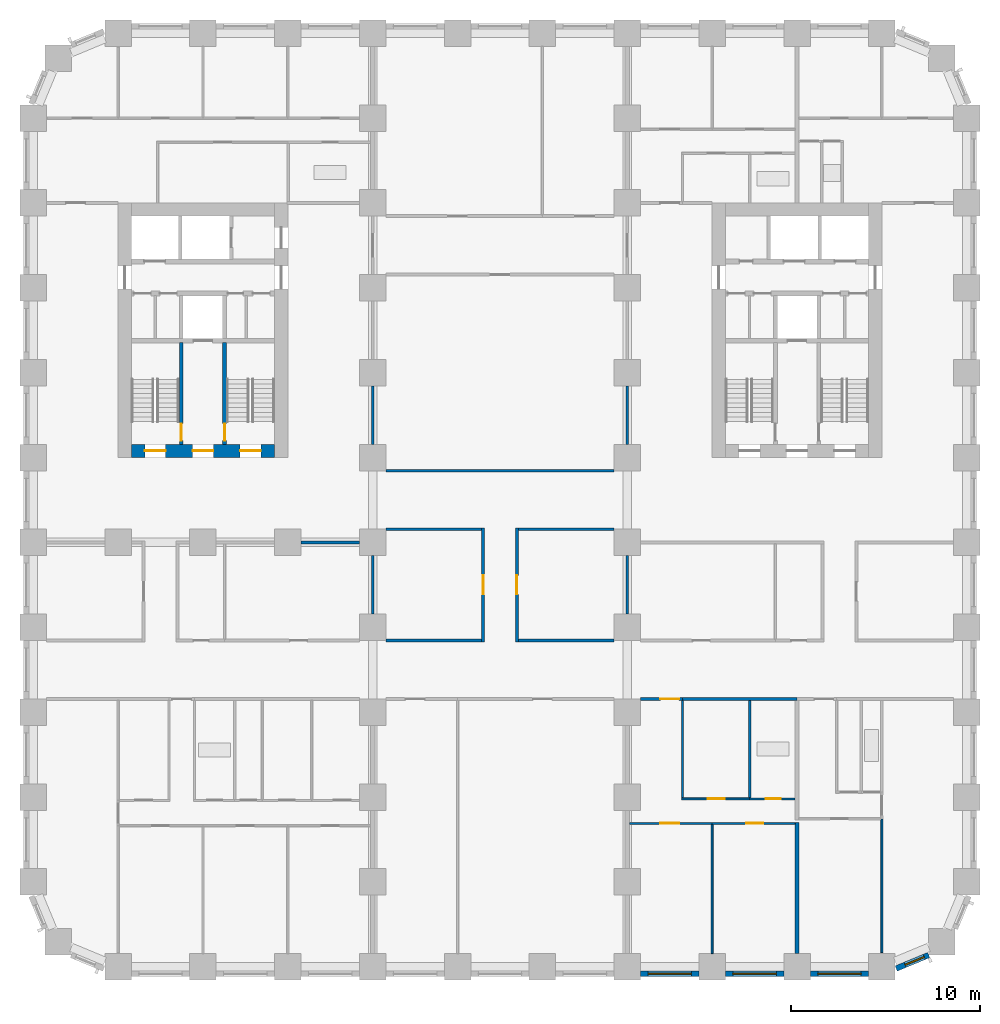
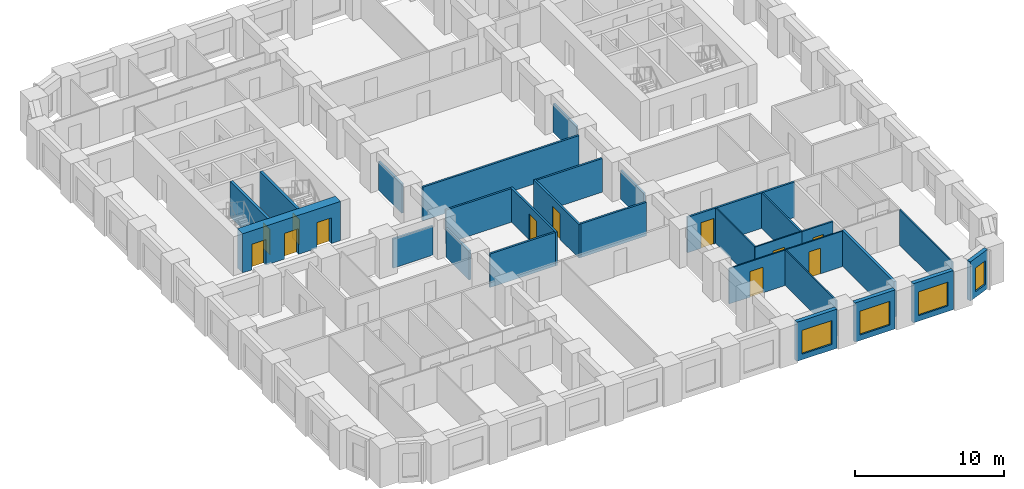
# One storey, part 4 of 12: 30 walls, 12 doors, 4 windows, 16 openings.
"""IFC4 building model written with IfcOpenShell, lengths in metres."""

from ifc_helpers import new_model, si_unit, direction, frame, frame_2d, origin, place, context, subcontext, project, spatial, rectangle, extrude, material, layer, layer_set, type_object, element, fill, save


model = new_model("IFC4")

# Units and contexts
model_context = context("Model", 3, precision=1e-05, world=origin(), true_north=direction((0.0, 1.0)))
body_context = subcontext(model_context, "Body", "Model", "MODEL_VIEW")
ifc_project = project(units=[si_unit("LENGTHUNIT", "METRE"), si_unit("AREAUNIT", "SQUARE_METRE"), si_unit("VOLUMEUNIT", "CUBIC_METRE"), si_unit("PLANEANGLEUNIT", "RADIAN"), si_unit("MASSUNIT", "GRAM", prefix="KILO")], contexts=[model_context])

# Site, building, storey
site_placement = place(None, origin())
site = spatial("IfcSite", under=ifc_project, at=site_placement, CompositionType="ELEMENT")
building_placement = place(site_placement, origin())
building = spatial("IfcBuilding", under=site, at=building_placement, Name="Girih Gate Residences", CompositionType="ELEMENT")
storey_placement = place(building_placement, frame((0.0, 0.0, 59.199951171875)))
storey = spatial("IfcBuildingStorey", under=building, at=storey_placement, Name="L15", CompositionType="ELEMENT", Elevation=59.199951171875)

# Wall, opening, door
ifc_material_1 = material(Name="Gypsum board on steel studs", Category="steel")
ifc_layer_1 = layer(ifc_material_1, 0.14990234375)
ifc_layer_set_1 = layer_set([ifc_layer_1], Name="Compartment wall 150 mm")
wall_type_1 = type_object("IfcWallType", Name="Compartment wall 150 mm", PredefinedType="PARTITIONING", material=ifc_layer_set_1)
wall_1_placement = place(storey_placement, frame((34.425048828125, 14.199951171875, 0.0), z_axis=(0.0, 0.0, 1.0), x_axis=(-1.0, 0.0, 0.0)))
wall_1 = element("IfcWall", 1, at=wall_1_placement, inside=storey, type_object=wall_type_1, Name="L15 partition", PredefinedType="PARTITIONING", context=body_context, shape_type="SweptSolid", body=[
    extrude(rectangle(XDim=2.22509765625, YDim=0.14990234375, at=frame_2d((1.112548828125, 0.0))), origin(), (0.0, 0.0, 1.0), 2.900146484375),
])
opening_1_placement = place(wall_1_placement, frame((0.175048828125, 0.0, 0.0)))
opening_1 = element("IfcOpeningElement", 2, at=opening_1_placement, cuts=wall_1, Name="Opening A15-027", PredefinedType="OPENING", context=body_context, shape_type="SweptSolid", body=[
    extrude(rectangle(XDim=1.0, YDim=2.10009765625, at=frame_2d((0.5, 1.050048828125))), frame((0.0, 0.0849609375, 0.0), z_axis=(0.0, -1.0, 0.0), x_axis=(1.0, 0.0, 0.0)), (0.0, 0.0, 1.0), 0.169921875),
])
ifc_material_2 = material(Name="Timber, fire-rated core", Category="wood")
door_type_1 = type_object("IfcDoorType", Name="Flat entrance door 1000x2100 FD30S", OperationType="NOTDEFINED", PredefinedType="DOOR", material=ifc_material_2)
door_1_placement = place(opening_1_placement, origin())
door_1 = element("IfcDoor", 3, at=door_1_placement, inside=storey, type_object=door_type_1, Name="Door A15-027", OperationType="SINGLE_SWING_LEFT", OverallHeight=2.10009765625, OverallWidth=1.0, PredefinedType="DOOR", context=body_context, shape_type="SweptSolid", body=[
    extrude(rectangle(XDim=1.0, YDim=2.10009765625, at=frame_2d((0.5, 1.050048828125))), frame((0.0, 0.02490234375, 0.0), z_axis=(0.0, -1.0, 0.0), x_axis=(1.0, 0.0, 0.0)), (0.0, 0.0, 1.0), 0.050048828125),
])
fill(opening_1, door_1)

# Wall
wall_2_placement = place(storey_placement, frame((34.425048828125, 14.199951171875, 0.0), z_axis=(0.0, 0.0, 1.0), x_axis=(1.0, 0.0, 0.0)))
element("IfcWall", 4, at=wall_2_placement, inside=storey, type_object=wall_type_1, Name="L15 partition", PredefinedType="PARTITIONING", context=body_context, shape_type="SweptSolid", body=[
    extrude(rectangle(XDim=6.074951171875, YDim=0.14990234375, at=frame_2d((3.03759765625, 0.0))), origin(), (0.0, 0.0, 1.0), 2.900146484375),
])

# Wall, opening, door
wall_3_placement = place(storey_placement, frame((23.85009765625, 17.22509765625, 0.0), z_axis=(0.0, 0.0, 1.0), x_axis=(0.0, 1.0, 0.0)))
wall_3 = element("IfcWall", 5, at=wall_3_placement, inside=storey, type_object=wall_type_1, Name="L15 partition", PredefinedType="PARTITIONING", context=body_context, shape_type="SweptSolid", body=[
    extrude(rectangle(XDim=6.0498046875, YDim=0.14990234375, at=frame_2d((3.02490234375, 0.0))), origin(), (0.0, 0.0, 1.0), 2.75),
])
opening_2_placement = place(wall_3_placement, frame((2.52490234375, 0.0, 0.0)))
opening_2 = element("IfcOpeningElement", 6, at=opening_2_placement, cuts=wall_3, Name="Opening A15-045", PredefinedType="OPENING", context=body_context, shape_type="SweptSolid", body=[
    extrude(rectangle(XDim=1.0, YDim=2.10009765625, at=frame_2d((0.5, 1.050048828125))), frame((0.0, 0.0849609375, 0.0), z_axis=(0.0, -1.0, 0.0), x_axis=(1.0, 0.0, 0.0)), (0.0, 0.0, 1.0), 0.169921875),
])
door_type_2 = type_object("IfcDoorType", Name="Amenity room door 1000x2100 FD30S", OperationType="NOTDEFINED", PredefinedType="DOOR", material=ifc_material_2)
door_2_placement = place(opening_2_placement, origin())
door_2 = element("IfcDoor", 7, at=door_2_placement, inside=storey, type_object=door_type_2, Name="Door A15-045", OperationType="SINGLE_SWING_RIGHT", OverallHeight=2.10009765625, OverallWidth=1.0, PredefinedType="DOOR", context=body_context, shape_type="SweptSolid", body=[
    extrude(rectangle(XDim=1.0, YDim=2.10009765625, at=frame_2d((0.5, 1.050048828125))), frame((0.0, 0.02490234375, 0.0), z_axis=(0.0, -1.0, 0.0), x_axis=(1.0, 0.0, 0.0)), (0.0, 0.0, 1.0), 0.050048828125),
])
fill(opening_2, door_2)

wall_4_placement = place(storey_placement, frame((25.64990234375, 23.27490234375, 0.0), z_axis=(0.0, 0.0, 1.0), x_axis=(0.0, -1.0, 0.0)))
wall_4 = element("IfcWall", 8, at=wall_4_placement, inside=storey, type_object=wall_type_1, Name="L15 partition", PredefinedType="PARTITIONING", context=body_context, shape_type="SweptSolid", body=[
    extrude(rectangle(XDim=6.0498046875, YDim=0.14990234375, at=frame_2d((3.02490234375, 0.0))), origin(), (0.0, 0.0, 1.0), 2.75),
])
opening_3_placement = place(wall_4_placement, frame((2.52490234375, 0.0, 0.0)))
opening_3 = element("IfcOpeningElement", 9, at=opening_3_placement, cuts=wall_4, Name="Opening A15-046", PredefinedType="OPENING", context=body_context, shape_type="SweptSolid", body=[
    extrude(rectangle(XDim=1.0, YDim=2.10009765625, at=frame_2d((0.5, 1.050048828125))), frame((0.0, 0.0849609375, 0.0), z_axis=(0.0, -1.0, 0.0), x_axis=(1.0, 0.0, 0.0)), (0.0, 0.0, 1.0), 0.169921875),
])
door_3_placement = place(opening_3_placement, origin())
door_3 = element("IfcDoor", 10, at=door_3_placement, inside=storey, type_object=door_type_2, Name="Door A15-046", OperationType="SINGLE_SWING_RIGHT", OverallHeight=2.10009765625, OverallWidth=1.0, PredefinedType="DOOR", context=body_context, shape_type="SweptSolid", body=[
    extrude(rectangle(XDim=1.0, YDim=2.10009765625, at=frame_2d((0.5, 1.050048828125))), frame((0.0, 0.02490234375, 0.0), z_axis=(0.0, -1.0, 0.0), x_axis=(1.0, 0.0, 0.0)), (0.0, 0.0, 1.0), 0.050048828125),
])
fill(opening_3, door_3)

# Walls
for number, where, z_axis, x_axis, name in (
    (11, (18.699951171875, 17.300048828125, 0.0), (0.0, 0.0, 1.0), (1.0, 0.0, 0.0), "L15 partition"),
    (12, (25.72509765625, 17.300048828125, 0.0), (0.0, 0.0, 1.0), (1.0, 0.0, 0.0), "L15 partition"),
):
    element("IfcWall", number, at=place(storey_placement, frame(where, z_axis=z_axis, x_axis=x_axis)), inside=storey, type_object=wall_type_1, Name=name, PredefinedType="PARTITIONING", context=body_context, shape_type="SweptSolid", body=[
        extrude(rectangle(XDim=5.074951171875, YDim=0.14990234375, at=frame_2d((2.53759765625, 0.0))), origin(), (0.0, 0.0, 1.0), 2.75),
    ])
for number, where, z_axis, x_axis, name in (
    (13, (31.5, 27.699951171875, 0.0), (0.0, 0.0, 1.0), (0.0, 1.0, 0.0), "L15 partition"),
    (14, (18.0, 27.699951171875, 0.0), (0.0, 0.0, 1.0), (0.0, 1.0, 0.0), "L15 partition"),
):
    element("IfcWall", number, at=place(storey_placement, frame(where, z_axis=z_axis, x_axis=x_axis)), inside=storey, type_object=wall_type_1, Name=name, PredefinedType="PARTITIONING", context=body_context, shape_type="SweptSolid", body=[
        extrude(rectangle(XDim=3.10009765625, YDim=0.14990234375, at=frame_2d((1.550048828125, 0.0))), origin(), (0.0, 0.0, 1.0), 2.380126953125),
    ])
wall_5_placement = place(storey_placement, frame((18.699951171875, 26.300048828125, 0.0), z_axis=(0.0, 0.0, 1.0), x_axis=(1.0, 0.0, 0.0)))
element("IfcWall", 15, at=wall_5_placement, inside=storey, type_object=wall_type_1, Name="L15 partition", PredefinedType="PARTITIONING", context=body_context, shape_type="SweptSolid", body=[
    extrude(rectangle(XDim=12.10009765625, YDim=0.14990234375, at=frame_2d((6.050048828125, 0.0))), origin(), (0.0, 0.0, 1.0), 2.75),
])
wall_6_placement = place(storey_placement, frame((18.699951171875, 23.199951171875, 0.0), z_axis=(0.0, 0.0, 1.0), x_axis=(1.0, 0.0, 0.0)))
element("IfcWall", 16, at=wall_6_placement, inside=storey, type_object=wall_type_1, Name="L15 partition", PredefinedType="PARTITIONING", context=body_context, shape_type="SweptSolid", body=[
    extrude(rectangle(XDim=5.074951171875, YDim=0.14990234375, at=frame_2d((2.53759765625, 0.0))), origin(), (0.0, 0.0, 1.0), 2.75),
])
wall_7_placement = place(storey_placement, frame((18.0, 18.699951171875, 0.0), z_axis=(0.0, 0.0, 1.0), x_axis=(0.0, 1.0, 0.0)))
element("IfcWall", 17, at=wall_7_placement, inside=storey, type_object=wall_type_1, Name="L15 partition", PredefinedType="PARTITIONING", context=body_context, shape_type="SweptSolid", body=[
    extrude(rectangle(XDim=3.10009765625, YDim=0.14990234375, at=frame_2d((1.550048828125, 0.0))), origin(), (0.0, 0.0, 1.0), 2.380126953125),
])
wall_8_placement = place(storey_placement, frame((25.72509765625, 23.199951171875, 0.0), z_axis=(0.0, 0.0, 1.0), x_axis=(1.0, 0.0, 0.0)))
element("IfcWall", 18, at=wall_8_placement, inside=storey, type_object=wall_type_1, Name="L15 partition", PredefinedType="PARTITIONING", context=body_context, shape_type="SweptSolid", body=[
    extrude(rectangle(XDim=5.074951171875, YDim=0.14990234375, at=frame_2d((2.53759765625, 0.0))), origin(), (0.0, 0.0, 1.0), 2.75),
])
for number, where, z_axis, x_axis, name in (
    (19, (31.5, 18.699951171875, 0.0), (0.0, 0.0, 1.0), (0.0, 1.0, 0.0), "L15 partition"),
    (20, (14.199951171875, 22.5, 0.0), (0.0, 0.0, 1.0), (1.0, 0.0, 0.0), "L15 partition"),
):
    element("IfcWall", number, at=place(storey_placement, frame(where, z_axis=z_axis, x_axis=x_axis)), inside=storey, type_object=wall_type_1, Name=name, PredefinedType="PARTITIONING", context=body_context, shape_type="SweptSolid", body=[
        extrude(rectangle(XDim=3.10009765625, YDim=0.14990234375, at=frame_2d((1.550048828125, 0.0))), origin(), (0.0, 0.0, 1.0), 2.380126953125),
    ])

# Wall, openings, doors
ifc_material_3 = material(Name="Concrete C60/75", Category="concrete")
ifc_layer_2 = layer(ifc_material_3, 0.699951171875)
ifc_layer_set_2 = layer_set([ifc_layer_2], Name="Core wall RC 700 Concrete C60/75")
wall_type_2 = type_object("IfcWallType", Name="Core wall RC 700 Concrete C60/75", PredefinedType="SOLIDWALL", material=ifc_layer_set_2)
wall_9_placement = place(storey_placement, frame((5.199951171875, 27.35009765625, 0.0), z_axis=(0.0, 0.0, 1.0), x_axis=(1.0, 0.0, 0.0)))
wall_9 = element("IfcWall", 21, at=wall_9_placement, inside=storey, type_object=wall_type_2, Name="Core wall W-S L15", PredefinedType="SOLIDWALL", context=body_context, shape_type="SweptSolid", body=[
    extrude(rectangle(XDim=7.60009765625, YDim=0.699951171875, at=frame_2d((3.800048828125, 0.0))), origin(), (0.0, 0.0, 1.0), 3.199951171875),
])
opening_4_placement = place(wall_9_placement, frame((0.72509765625, 0.0, 0.0)))
opening_4 = element("IfcOpeningElement", 22, at=opening_4_placement, cuts=wall_9, Name="Opening D-L15-W-010", PredefinedType="OPENING", context=body_context, shape_type="SweptSolid", body=[
    extrude(rectangle(XDim=1.10009765625, YDim=2.10009765625, at=frame_2d((0.550048828125, 1.050048828125))), frame((0.0, 0.35986328125, 0.0), z_axis=(0.0, -1.0, 0.0), x_axis=(1.0, 0.0, 0.0)), (0.0, 0.0, 1.0), 0.719970703125),
])
opening_5_placement = place(wall_9_placement, frame((3.25, 0.0, 0.0)))
opening_5 = element("IfcOpeningElement", 23, at=opening_5_placement, cuts=wall_9, Name="Opening D-L15-W-011", PredefinedType="OPENING", context=body_context, shape_type="SweptSolid", body=[
    extrude(rectangle(XDim=1.10009765625, YDim=2.10009765625, at=frame_2d((0.550048828125, 1.050048828125))), frame((0.0, 0.35986328125, 0.0), z_axis=(0.0, -1.0, 0.0), x_axis=(1.0, 0.0, 0.0)), (0.0, 0.0, 1.0), 0.719970703125),
])
opening_6_placement = place(wall_9_placement, frame((5.77490234375, 0.0, 0.0)))
opening_6 = element("IfcOpeningElement", 24, at=opening_6_placement, cuts=wall_9, Name="Opening D-L15-W-012", PredefinedType="OPENING", context=body_context, shape_type="SweptSolid", body=[
    extrude(rectangle(XDim=1.10009765625, YDim=2.10009765625, at=frame_2d((0.550048828125, 1.050048828125))), frame((0.0, 0.35986328125, 0.0), z_axis=(0.0, -1.0, 0.0), x_axis=(1.0, 0.0, 0.0)), (0.0, 0.0, 1.0), 0.719970703125),
])
ifc_material_4 = material(Name="Painted steel, fire-resisting", Category="steel")
door_type_3 = type_object("IfcDoorType", Name="Fire door 1100x2100", OperationType="SINGLE_SWING_LEFT", PredefinedType="DOOR", material=ifc_material_4)
door_4_placement = place(opening_4_placement, origin())
door_4 = element("IfcDoor", 25, at=door_4_placement, inside=storey, type_object=door_type_3, Name="L15 W core door sta-out", OperationType="SINGLE_SWING_LEFT", OverallHeight=2.10009765625, OverallWidth=1.10009765625, PredefinedType="DOOR", context=body_context, shape_type="SweptSolid", body=[
    extrude(rectangle(XDim=1.10009765625, YDim=2.10009765625, at=frame_2d((0.550048828125, 1.050048828125))), frame((0.0, 0.02490234375, 0.0), z_axis=(0.0, -1.0, 0.0), x_axis=(1.0, 0.0, 0.0)), (0.0, 0.0, 1.0), 0.050048828125),
])
fill(opening_4, door_4)
door_5_placement = place(opening_5_placement, origin())
door_5 = element("IfcDoor", 26, at=door_5_placement, inside=storey, type_object=door_type_3, Name="L15 W core door ffl-out", OperationType="SINGLE_SWING_LEFT", OverallHeight=2.10009765625, OverallWidth=1.10009765625, PredefinedType="DOOR", context=body_context, shape_type="SweptSolid", body=[
    extrude(rectangle(XDim=1.10009765625, YDim=2.10009765625, at=frame_2d((0.550048828125, 1.050048828125))), frame((0.0, 0.02490234375, 0.0), z_axis=(0.0, -1.0, 0.0), x_axis=(1.0, 0.0, 0.0)), (0.0, 0.0, 1.0), 0.050048828125),
])
fill(opening_5, door_5)
door_6_placement = place(opening_6_placement, origin())
door_6 = element("IfcDoor", 27, at=door_6_placement, inside=storey, type_object=door_type_3, Name="L15 W core door stb-out", OperationType="SINGLE_SWING_LEFT", OverallHeight=2.10009765625, OverallWidth=1.10009765625, PredefinedType="DOOR", context=body_context, shape_type="SweptSolid", body=[
    extrude(rectangle(XDim=1.10009765625, YDim=2.10009765625, at=frame_2d((0.550048828125, 1.050048828125))), frame((0.0, 0.02490234375, 0.0), z_axis=(0.0, -1.0, 0.0), x_axis=(1.0, 0.0, 0.0)), (0.0, 0.0, 1.0), 0.050048828125),
])
fill(opening_6, door_6)

# Wall
ifc_layer_3 = layer(ifc_material_1, 0.10009765625)
ifc_layer_set_3 = layer_set([ifc_layer_3], Name="Partition 100 mm")
wall_type_3 = type_object("IfcWallType", Name="Partition 100 mm", PredefinedType="PARTITIONING", material=ifc_layer_set_3)
wall_10_placement = place(storey_placement, frame((45.0, 0.757568359375, 0.0), z_axis=(0.0, 0.0, 1.0), x_axis=(0.0, 1.0, 0.0)))
element("IfcWall", 28, at=wall_10_placement, inside=storey, type_object=wall_type_3, Name="L15 partition", PredefinedType="PARTITIONING", context=body_context, shape_type="SweptSolid", body=[
    extrude(rectangle(XDim=7.08251953125, YDim=0.10009765625, at=frame_2d((3.541259765625, 0.0))), origin(), (0.0, 0.0, 1.0), 2.900146484375),
])

# Wall, opening, door
wall_11_placement = place(storey_placement, frame((40.39990234375, 7.60009765625, 0.0), z_axis=(0.0, 0.0, 1.0), x_axis=(-1.0, 0.0, 0.0)))
wall_11 = element("IfcWall", 29, at=wall_11_placement, inside=storey, type_object=wall_type_3, Name="L15 partition", PredefinedType="PARTITIONING", context=body_context, shape_type="SweptSolid", body=[
    extrude(rectangle(XDim=4.39990234375, YDim=0.10009765625, at=frame_2d((2.199951171875, 0.0))), origin(), (0.0, 0.0, 1.0), 2.900146484375),
])
opening_7_placement = place(wall_11_placement, frame((1.699951171875, 0.0, 0.0)))
opening_7 = element("IfcOpeningElement", 30, at=opening_7_placement, cuts=wall_11, Name="Opening A15-024", PredefinedType="OPENING", context=body_context, shape_type="SweptSolid", body=[
    extrude(rectangle(XDim=0.89990234375, YDim=2.10009765625, at=frame_2d((0.449951171875, 1.050048828125))), frame((0.0, 0.06005859375, 0.0), z_axis=(0.0, -1.0, 0.0), x_axis=(1.0, 0.0, 0.0)), (0.0, 0.0, 1.0), 0.1201171875),
])
ifc_material_5 = material(Name="Timber", Category="wood")
door_type_4 = type_object("IfcDoorType", Name="Bedroom door 900x2100", OperationType="NOTDEFINED", PredefinedType="DOOR", material=ifc_material_5)
door_7_placement = place(opening_7_placement, origin())
door_7 = element("IfcDoor", 31, at=door_7_placement, inside=storey, type_object=door_type_4, Name="Door A15-024", OperationType="SINGLE_SWING_LEFT", OverallHeight=2.10009765625, OverallWidth=0.89990234375, PredefinedType="DOOR", context=body_context, shape_type="SweptSolid", body=[
    extrude(rectangle(XDim=0.89990234375, YDim=2.10009765625, at=frame_2d((0.449951171875, 1.050048828125))), frame((0.0, 0.02490234375, 0.0), z_axis=(0.0, -1.0, 0.0), x_axis=(1.0, 0.0, 0.0)), (0.0, 0.0, 1.0), 0.050048828125),
])
fill(opening_7, door_7)

# Walls
wall_12_placement = place(storey_placement, frame((36.0, 0.699951171875, 0.0), z_axis=(0.0, 0.0, 1.0), x_axis=(0.0, 1.0, 0.0)))
element("IfcWall", 32, at=wall_12_placement, inside=storey, type_object=wall_type_3, Name="L15 partition", PredefinedType="PARTITIONING", context=body_context, shape_type="SweptSolid", body=[
    extrude(rectangle(XDim=6.85009765625, YDim=0.10009765625, at=frame_2d((3.425048828125, 0.0))), origin(), (0.0, 0.0, 1.0), 2.900146484375),
])
wall_13_placement = place(storey_placement, frame((34.425048828125, 8.949951171875, 0.0), z_axis=(0.0, 0.0, 1.0), x_axis=(0.0, 1.0, 0.0)))
element("IfcWall", 33, at=wall_13_placement, inside=storey, type_object=wall_type_3, Name="L15 partition", PredefinedType="PARTITIONING", context=body_context, shape_type="SweptSolid", body=[
    extrude(rectangle(XDim=5.175048828125, YDim=0.10009765625, at=frame_2d((2.58740234375, 0.0))), origin(), (0.0, 0.0, 1.0), 2.900146484375),
])

# Wall, opening, door
wall_14_placement = place(storey_placement, frame((34.375, 8.89990234375, 0.0), z_axis=(0.0, 0.0, 1.0), x_axis=(1.0, 0.0, 0.0)))
wall_14 = element("IfcWall", 34, at=wall_14_placement, inside=storey, type_object=wall_type_3, Name="L15 partition", PredefinedType="PARTITIONING", context=body_context, shape_type="SweptSolid", body=[
    extrude(rectangle(XDim=3.613037109375, YDim=0.10009765625, at=frame_2d((1.806640625, 0.0))), origin(), (0.0, 0.0, 1.0), 2.900146484375),
])
opening_8_placement = place(wall_14_placement, frame((1.381591796875, 0.0, 0.0)))
opening_8 = element("IfcOpeningElement", 35, at=opening_8_placement, cuts=wall_14, Name="Opening A15-025", PredefinedType="OPENING", context=body_context, shape_type="SweptSolid", body=[
    extrude(rectangle(XDim=0.89990234375, YDim=2.10009765625, at=frame_2d((0.449951171875, 1.050048828125))), frame((0.0, 0.06005859375, 0.0), z_axis=(0.0, -1.0, 0.0), x_axis=(1.0, 0.0, 0.0)), (0.0, 0.0, 1.0), 0.1201171875),
])
door_type_5 = type_object("IfcDoorType", Name="Kitchen door 900x2100", OperationType="NOTDEFINED", PredefinedType="DOOR", material=ifc_material_5)
door_8_placement = place(opening_8_placement, origin())
door_8 = element("IfcDoor", 36, at=door_8_placement, inside=storey, type_object=door_type_5, Name="Door A15-025", OperationType="SINGLE_SWING_RIGHT", OverallHeight=2.10009765625, OverallWidth=0.89990234375, PredefinedType="DOOR", context=body_context, shape_type="SweptSolid", body=[
    extrude(rectangle(XDim=0.89990234375, YDim=2.10009765625, at=frame_2d((0.449951171875, 1.050048828125))), frame((0.0, 0.02490234375, 0.0), z_axis=(0.0, -1.0, 0.0), x_axis=(1.0, 0.0, 0.0)), (0.0, 0.0, 1.0), 0.050048828125),
])
fill(opening_8, door_8)

wall_15_placement = place(storey_placement, frame((36.0, 7.60009765625, 0.0), z_axis=(0.0, 0.0, 1.0), x_axis=(-1.0, 0.0, 0.0)))
wall_15 = element("IfcWall", 37, at=wall_15_placement, inside=storey, type_object=wall_type_3, Name="L15 partition", PredefinedType="PARTITIONING", context=body_context, shape_type="SweptSolid", body=[
    extrude(rectangle(XDim=4.375, YDim=0.10009765625, at=frame_2d((2.1875, 0.0))), origin(), (0.0, 0.0, 1.0), 2.900146484375),
])
opening_9_placement = place(wall_15_placement, frame((1.75, 0.0, 0.0)))
opening_9 = element("IfcOpeningElement", 38, at=opening_9_placement, cuts=wall_15, Name="Opening A15-026", PredefinedType="OPENING", context=body_context, shape_type="SweptSolid", body=[
    extrude(rectangle(XDim=1.0, YDim=2.10009765625, at=frame_2d((0.5, 1.050048828125))), frame((0.0, 0.06005859375, 0.0), z_axis=(0.0, -1.0, 0.0), x_axis=(1.0, 0.0, 0.0)), (0.0, 0.0, 1.0), 0.1201171875),
])
door_type_6 = type_object("IfcDoorType", Name="Living room door 1000x2100", OperationType="NOTDEFINED", PredefinedType="DOOR", material=ifc_material_5)
door_9_placement = place(opening_9_placement, origin())
door_9 = element("IfcDoor", 39, at=door_9_placement, inside=storey, type_object=door_type_6, Name="Door A15-026", OperationType="SINGLE_SWING_RIGHT", OverallHeight=2.10009765625, OverallWidth=1.0, PredefinedType="DOOR", context=body_context, shape_type="SweptSolid", body=[
    extrude(rectangle(XDim=1.0, YDim=2.10009765625, at=frame_2d((0.5, 1.050048828125))), frame((0.0, 0.02490234375, 0.0), z_axis=(0.0, -1.0, 0.0), x_axis=(1.0, 0.0, 0.0)), (0.0, 0.0, 1.0), 0.050048828125),
])
fill(opening_9, door_9)

# Wall
ifc_layer_4 = layer(ifc_material_1, 0.199951171875)
ifc_layer_set_4 = layer_set([ifc_layer_4], Name="Party wall 200 mm")
wall_type_4 = type_object("IfcWallType", Name="Party wall 200 mm", PredefinedType="PARTITIONING", material=ifc_layer_set_4)
wall_16_placement = place(storey_placement, frame((40.5, 0.699951171875, 0.0), z_axis=(0.0, 0.0, 1.0), x_axis=(0.0, 1.0, 0.0)))
element("IfcWall", 40, at=wall_16_placement, inside=storey, type_object=wall_type_4, Name="L15 partition", PredefinedType="PARTITIONING", context=body_context, shape_type="SweptSolid", body=[
    extrude(rectangle(XDim=6.949951171875, YDim=0.199951171875, at=frame_2d((3.47509765625, 0.0))), origin(), (0.0, 0.0, 1.0), 2.900146484375),
])

# Wall, opening, window
ifc_material_6 = material(Name="Precast concrete C50/60", Category="concrete")
ifc_layer_5 = layer(ifc_material_6, 0.080078125, Name="Outer leaf")
ifc_material_7 = material(Name="Rigid PIR insulation")
ifc_layer_6 = layer(ifc_material_7, 0.14990234375, Name="Insulation")
ifc_material_8 = material(Name="Precast concrete C40/50", Category="concrete")
ifc_layer_7 = layer(ifc_material_8, 0.070068359375, Name="Inner leaf")
ifc_layer_set_5 = layer_set([ifc_layer_5, ifc_layer_6, ifc_layer_7], Name="Precast concrete C50/60 external wall 300")
wall_type_5 = type_object("IfcWallType", Name="Precast concrete C50/60 external wall 300", PredefinedType="SOLIDWALL", material=ifc_layer_set_5)
wall_17_placement = place(storey_placement, frame((35.300048828125, -0.375, 0.0), z_axis=(0.0, 0.0, 1.0), x_axis=(-1.0, 0.0, 0.0)))
wall_17 = element("IfcWall", 41, at=wall_17_placement, inside=storey, type_object=wall_type_5, Name="External wall S0045_0000.6", PredefinedType="SOLIDWALL", context=body_context, shape_type="SweptSolid", body=[
    extrude(rectangle(XDim=3.10009765625, YDim=0.300048828125, at=frame_2d((1.550048828125, 0.0))), origin(), (0.0, 0.0, 1.0), 3.199951171875),
])
opening_10_placement = place(wall_17_placement, frame((0.39990234375, 0.0, 0.449951171875)))
opening_10 = element("IfcOpeningElement", 42, at=opening_10_placement, cuts=wall_17, Name="Opening W-1", PredefinedType="OPENING", context=body_context, shape_type="SweptSolid", body=[
    extrude(rectangle(XDim=2.300048828125, YDim=1.949951171875, at=frame_2d((1.14990234375, 0.97509765625))), frame((0.0, 0.159912109375, 0.0), z_axis=(0.0, -1.0, 0.0), x_axis=(1.0, 0.0, 0.0)), (0.0, 0.0, 1.0), 0.320068359375),
])
ifc_material_9 = material(Name="Double glazing in aluminium frame", Category="aluminium")
window_type_1 = type_object("IfcWindowType", Name="Window W-1 2300x1950", PartitioningType="SINGLE_PANEL", PredefinedType="WINDOW", material=ifc_material_9)
window_1_placement = place(opening_10_placement, origin())
window_1 = element("IfcWindow", 43, at=window_1_placement, inside=storey, type_object=window_type_1, Name="Window W-1 S0045_0000.6", OverallHeight=1.949951171875, OverallWidth=2.300048828125, PartitioningType="SINGLE_PANEL", PredefinedType="WINDOW", context=body_context, shape_type="SweptSolid", body=[
    extrude(rectangle(XDim=2.300048828125, YDim=1.949951171875, at=frame_2d((1.14990234375, 0.97509765625))), frame((0.0, 0.030029296875, 0.0), z_axis=(0.0, -1.0, 0.0), x_axis=(1.0, 0.0, 0.0)), (0.0, 0.0, 1.0), 0.06005859375),
])
fill(opening_10, window_1)

wall_18_placement = place(storey_placement, frame((39.800048828125, -0.375, 0.0), z_axis=(0.0, 0.0, 1.0), x_axis=(-1.0, 0.0, 0.0)))
wall_18 = element("IfcWall", 44, at=wall_18_placement, inside=storey, type_object=wall_type_5, Name="External wall S0045_0000.7", PredefinedType="SOLIDWALL", context=body_context, shape_type="SweptSolid", body=[
    extrude(rectangle(XDim=3.10009765625, YDim=0.300048828125, at=frame_2d((1.550048828125, 0.0))), origin(), (0.0, 0.0, 1.0), 3.199951171875),
])
opening_11_placement = place(wall_18_placement, frame((0.39990234375, 0.0, 0.449951171875)))
opening_11 = element("IfcOpeningElement", 45, at=opening_11_placement, cuts=wall_18, Name="Opening W-1", PredefinedType="OPENING", context=body_context, shape_type="SweptSolid", body=[
    extrude(rectangle(XDim=2.300048828125, YDim=1.949951171875, at=frame_2d((1.14990234375, 0.97509765625))), frame((0.0, 0.159912109375, 0.0), z_axis=(0.0, -1.0, 0.0), x_axis=(1.0, 0.0, 0.0)), (0.0, 0.0, 1.0), 0.320068359375),
])
window_2_placement = place(opening_11_placement, origin())
window_2 = element("IfcWindow", 46, at=window_2_placement, inside=storey, type_object=window_type_1, Name="Window W-1 S0045_0000.7", OverallHeight=1.949951171875, OverallWidth=2.300048828125, PartitioningType="SINGLE_PANEL", PredefinedType="WINDOW", context=body_context, shape_type="SweptSolid", body=[
    extrude(rectangle(XDim=2.300048828125, YDim=1.949951171875, at=frame_2d((1.14990234375, 0.97509765625))), frame((0.0, 0.030029296875, 0.0), z_axis=(0.0, -1.0, 0.0), x_axis=(1.0, 0.0, 0.0)), (0.0, 0.0, 1.0), 0.06005859375),
])
fill(opening_11, window_2)

wall_19_placement = place(storey_placement, frame((44.300048828125, -0.375, 0.0), z_axis=(0.0, 0.0, 1.0), x_axis=(-1.0, 0.0, 0.0)))
wall_19 = element("IfcWall", 47, at=wall_19_placement, inside=storey, type_object=wall_type_5, Name="External wall S0045_0000.8", PredefinedType="SOLIDWALL", context=body_context, shape_type="SweptSolid", body=[
    extrude(rectangle(XDim=3.10009765625, YDim=0.300048828125, at=frame_2d((1.550048828125, 0.0))), origin(), (0.0, 0.0, 1.0), 3.199951171875),
])
opening_12_placement = place(wall_19_placement, frame((0.39990234375, 0.0, 0.449951171875)))
opening_12 = element("IfcOpeningElement", 48, at=opening_12_placement, cuts=wall_19, Name="Opening W-1", PredefinedType="OPENING", context=body_context, shape_type="SweptSolid", body=[
    extrude(rectangle(XDim=2.300048828125, YDim=1.949951171875, at=frame_2d((1.14990234375, 0.97509765625))), frame((0.0, 0.159912109375, 0.0), z_axis=(0.0, -1.0, 0.0), x_axis=(1.0, 0.0, 0.0)), (0.0, 0.0, 1.0), 0.320068359375),
])
window_3_placement = place(opening_12_placement, origin())
window_3 = element("IfcWindow", 49, at=window_3_placement, inside=storey, type_object=window_type_1, Name="Window W-1 S0045_0000.8", OverallHeight=1.949951171875, OverallWidth=2.300048828125, PartitioningType="SINGLE_PANEL", PredefinedType="WINDOW", context=body_context, shape_type="SweptSolid", body=[
    extrude(rectangle(XDim=2.300048828125, YDim=1.949951171875, at=frame_2d((1.14990234375, 0.97509765625))), frame((0.0, 0.030029296875, 0.0), z_axis=(0.0, -1.0, 0.0), x_axis=(1.0, 0.0, 0.0)), (0.0, 0.0, 1.0), 0.06005859375),
])
fill(opening_12, window_3)

wall_20_placement = place(storey_placement, frame((47.48046875, 0.62158203125, 0.0), z_axis=(0.0, 0.0, 1.0), x_axis=(-0.923903565336, -0.38262540684, 0.0)))
wall_20 = element("IfcWall", 50, at=wall_20_placement, inside=storey, type_object=wall_type_5, Name="External wall SE0450_0000.0", PredefinedType="SOLIDWALL", context=body_context, shape_type="SweptSolid", body=[
    extrude(rectangle(XDim=1.864990234375, YDim=0.300048828125, at=frame_2d((0.9326171875, 0.0))), origin(), (0.0, 0.0, 1.0), 3.199951171875),
])
opening_13_placement = place(wall_20_placement, frame((0.257568359375, 0.0, 0.449951171875)))
opening_13 = element("IfcOpeningElement", 51, at=opening_13_placement, cuts=wall_20, Name="Opening W-2C", PredefinedType="OPENING", context=body_context, shape_type="SweptSolid", body=[
    extrude(rectangle(XDim=1.10009765625, YDim=1.949951171875, at=frame_2d((0.550048828125, 0.97509765625))), frame((0.0, 0.159912109375, 0.0), z_axis=(0.0, -1.0, 0.0), x_axis=(1.0, 0.0, 0.0)), (0.0, 0.0, 1.0), 0.320068359375),
])
window_type_2 = type_object("IfcWindowType", Name="Window W-2C 1100x1950", PartitioningType="SINGLE_PANEL", PredefinedType="WINDOW", material=ifc_material_9)
window_4_placement = place(opening_13_placement, origin())
window_4 = element("IfcWindow", 52, at=window_4_placement, inside=storey, type_object=window_type_2, Name="Window W-2C SE0450_0000.0", OverallHeight=1.949951171875, OverallWidth=1.10009765625, PartitioningType="SINGLE_PANEL", PredefinedType="WINDOW", context=body_context, shape_type="SweptSolid", body=[
    extrude(rectangle(XDim=1.10009765625, YDim=1.949951171875, at=frame_2d((0.550048828125, 0.97509765625))), frame((0.0, 0.030029296875, 0.0), z_axis=(0.0, -1.0, 0.0), x_axis=(1.0, 0.0, 0.0)), (0.0, 0.0, 1.0), 0.06005859375),
])
fill(opening_13, window_4)

# Wall, opening, door
ifc_material_10 = material(Name="Concrete C40/50", Category="concrete")
ifc_layer_8 = layer(ifc_material_10, 0.199951171875)
ifc_layer_set_6 = layer_set([ifc_layer_8], Name="Shaft wall 200")
wall_type_6 = type_object("IfcWallType", Name="Shaft wall 200", PredefinedType="SOLIDWALL", material=ifc_layer_set_6)
wall_21_placement = place(storey_placement, frame((7.85009765625, 27.699951171875, 0.0), z_axis=(0.0, 0.0, 1.0), x_axis=(0.0, 1.0, 0.0)))
wall_21 = element("IfcWall", 53, at=wall_21_placement, inside=storey, type_object=wall_type_6, Name="L15 W core wall V1a", PredefinedType="SOLIDWALL", context=body_context, shape_type="SweptSolid", body=[
    extrude(rectangle(XDim=5.400146484375, YDim=0.199951171875, at=frame_2d((2.7001953125, 0.0))), origin(), (0.0, 0.0, 1.0), 2.900146484375),
])
opening_14_placement = place(wall_21_placement, frame((0.199951171875, 0.0, 0.0)))
opening_14 = element("IfcOpeningElement", 54, at=opening_14_placement, cuts=wall_21, Name="Opening D-L15-W-001", PredefinedType="OPENING", context=body_context, shape_type="SweptSolid", body=[
    extrude(rectangle(XDim=0.89990234375, YDim=2.10009765625, at=frame_2d((0.449951171875, 1.050048828125))), frame((0.0, 0.10986328125, 0.0), z_axis=(0.0, -1.0, 0.0), x_axis=(1.0, 0.0, 0.0)), (0.0, 0.0, 1.0), 0.219970703125),
])
door_type_7 = type_object("IfcDoorType", Name="Fire door 900x2100", OperationType="SINGLE_SWING_LEFT", PredefinedType="DOOR", material=ifc_material_4)
door_10_placement = place(opening_14_placement, origin())
door_10 = element("IfcDoor", 55, at=door_10_placement, inside=storey, type_object=door_type_7, Name="L15 W door stair 1 to firefighting lobby", OperationType="SINGLE_SWING_LEFT", OverallHeight=2.10009765625, OverallWidth=0.89990234375, PredefinedType="DOOR", context=body_context, shape_type="SweptSolid", body=[
    extrude(rectangle(XDim=0.89990234375, YDim=2.10009765625, at=frame_2d((0.449951171875, 1.050048828125))), frame((0.0, 0.02490234375, 0.0), z_axis=(0.0, -1.0, 0.0), x_axis=(1.0, 0.0, 0.0)), (0.0, 0.0, 1.0), 0.050048828125),
])
fill(opening_14, door_10)

wall_22_placement = place(storey_placement, frame((10.14990234375, 27.699951171875, 0.0), z_axis=(0.0, 0.0, 1.0), x_axis=(0.0, 1.0, 0.0)))
wall_22 = element("IfcWall", 56, at=wall_22_placement, inside=storey, type_object=wall_type_6, Name="L15 W core wall V2a", PredefinedType="SOLIDWALL", context=body_context, shape_type="SweptSolid", body=[
    extrude(rectangle(XDim=5.400146484375, YDim=0.199951171875, at=frame_2d((2.7001953125, 0.0))), origin(), (0.0, 0.0, 1.0), 2.900146484375),
])
opening_15_placement = place(wall_22_placement, frame((0.199951171875, 0.0, 0.0)))
opening_15 = element("IfcOpeningElement", 57, at=opening_15_placement, cuts=wall_22, Name="Opening D-L15-W-002", PredefinedType="OPENING", context=body_context, shape_type="SweptSolid", body=[
    extrude(rectangle(XDim=0.89990234375, YDim=2.10009765625, at=frame_2d((0.449951171875, 1.050048828125))), frame((0.0, 0.10986328125, 0.0), z_axis=(0.0, -1.0, 0.0), x_axis=(1.0, 0.0, 0.0)), (0.0, 0.0, 1.0), 0.219970703125),
])
door_11_placement = place(opening_15_placement, origin())
door_11 = element("IfcDoor", 58, at=door_11_placement, inside=storey, type_object=door_type_7, Name="L15 W door stair 2 to firefighting lobby", OperationType="SINGLE_SWING_LEFT", OverallHeight=2.10009765625, OverallWidth=0.89990234375, PredefinedType="DOOR", context=body_context, shape_type="SweptSolid", body=[
    extrude(rectangle(XDim=0.89990234375, YDim=2.10009765625, at=frame_2d((0.449951171875, 1.050048828125))), frame((0.0, 0.02490234375, 0.0), z_axis=(0.0, -1.0, 0.0), x_axis=(1.0, 0.0, 0.0)), (0.0, 0.0, 1.0), 0.050048828125),
])
fill(opening_15, door_11)

ifc_layer_9 = layer(ifc_material_1, 0.125)
ifc_layer_set_7 = layer_set([ifc_layer_9], Name="Wet room wall 125 mm")
wall_type_7 = type_object("IfcWallType", Name="Wet room wall 125 mm", PredefinedType="PARTITIONING", material=ifc_layer_set_7)
wall_23_placement = place(storey_placement, frame((37.988037109375, 8.89990234375, 0.0), z_axis=(0.0, 0.0, 1.0), x_axis=(1.0, 0.0, 0.0)))
wall_23 = element("IfcWall", 59, at=wall_23_placement, inside=storey, type_object=wall_type_7, Name="L15 partition", PredefinedType="PARTITIONING", context=body_context, shape_type="SweptSolid", body=[
    extrude(rectangle(XDim=2.411865234375, YDim=0.125, at=frame_2d((1.2060546875, 0.0))), origin(), (0.0, 0.0, 1.0), 2.900146484375),
])
opening_16_placement = place(wall_23_placement, frame((0.85595703125, 0.0, 0.0)))
opening_16 = element("IfcOpeningElement", 60, at=opening_16_placement, cuts=wall_23, Name="Opening A15-023", PredefinedType="OPENING", context=body_context, shape_type="SweptSolid", body=[
    extrude(rectangle(XDim=0.800048828125, YDim=2.10009765625, at=frame_2d((0.39990234375, 1.050048828125))), frame((0.0, 0.072509765625, 0.0), z_axis=(0.0, -1.0, 0.0), x_axis=(1.0, 0.0, 0.0)), (0.0, 0.0, 1.0), 0.14501953125),
])
door_type_8 = type_object("IfcDoorType", Name="Bathroom door 800x2100", OperationType="NOTDEFINED", PredefinedType="DOOR", material=ifc_material_5)
door_12_placement = place(opening_16_placement, origin())
door_12 = element("IfcDoor", 61, at=door_12_placement, inside=storey, type_object=door_type_8, Name="Door A15-023", OperationType="SINGLE_SWING_RIGHT", OverallHeight=2.10009765625, OverallWidth=0.800048828125, PredefinedType="DOOR", context=body_context, shape_type="SweptSolid", body=[
    extrude(rectangle(XDim=0.800048828125, YDim=2.10009765625, at=frame_2d((0.39990234375, 1.050048828125))), frame((0.0, 0.02490234375, 0.0), z_axis=(0.0, -1.0, 0.0), x_axis=(1.0, 0.0, 0.0)), (0.0, 0.0, 1.0), 0.050048828125),
])
fill(opening_16, door_12)

# Wall
wall_24_placement = place(storey_placement, frame((37.988037109375, 8.96240234375, 0.0), z_axis=(0.0, 0.0, 1.0), x_axis=(0.0, 1.0, 0.0)))
element("IfcWall", 62, at=wall_24_placement, inside=storey, type_object=wall_type_7, Name="L15 partition", PredefinedType="PARTITIONING", context=body_context, shape_type="SweptSolid", body=[
    extrude(rectangle(XDim=5.16259765625, YDim=0.125, at=frame_2d((2.581298828125, 0.0))), origin(), (0.0, 0.0, 1.0), 2.900146484375),
])

save(model, "model.ifc")
